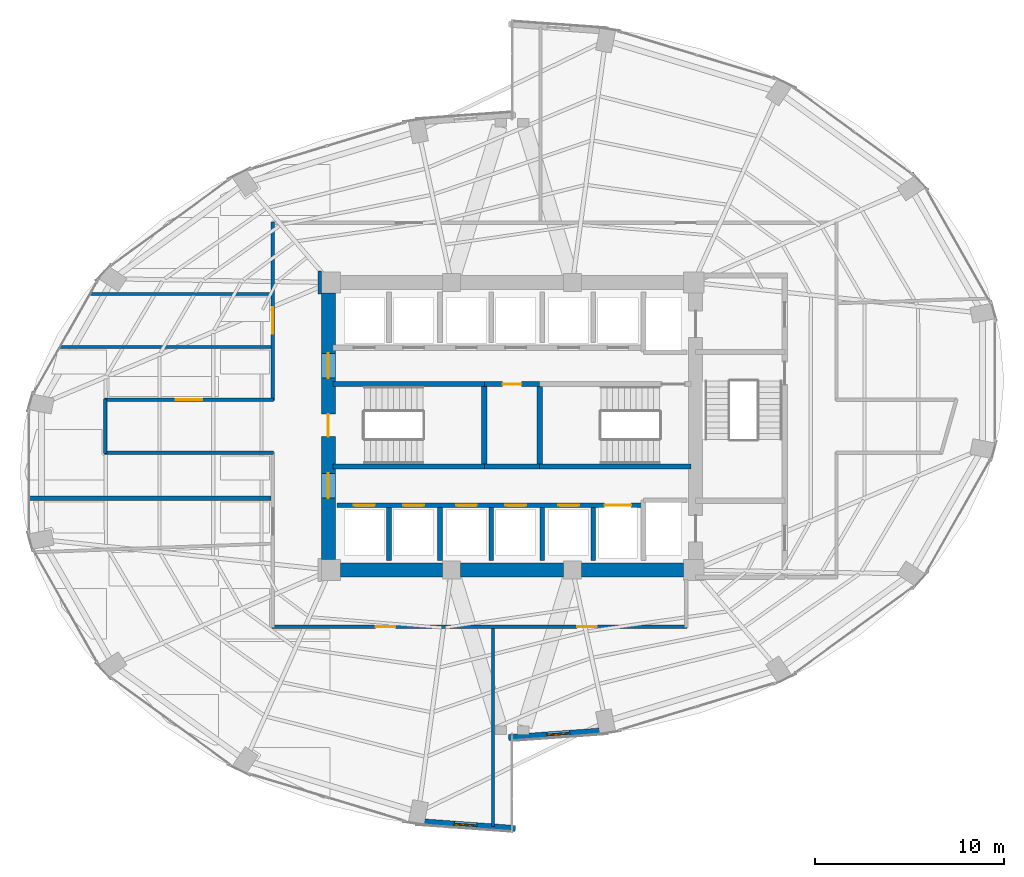
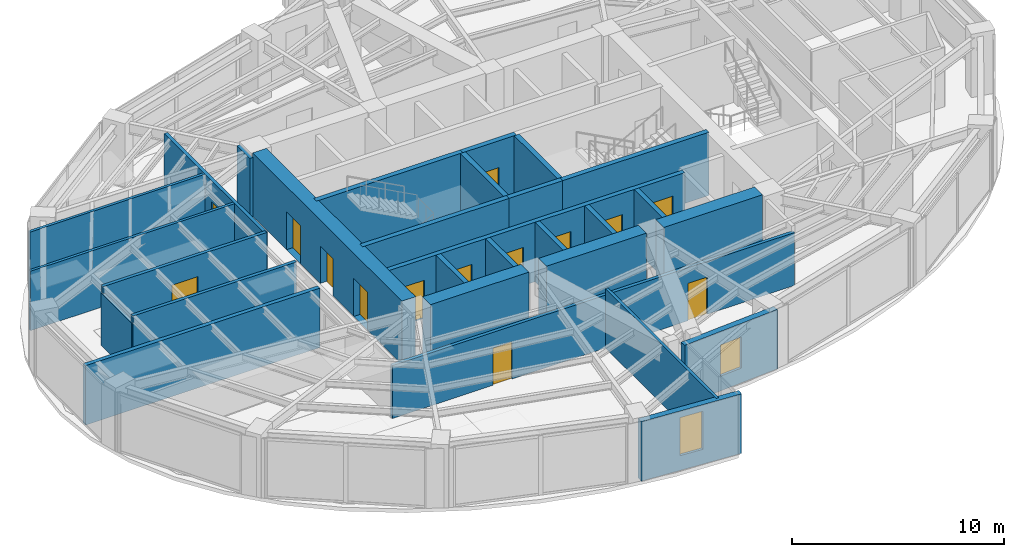
# One storey, part 20 of 24: 29 walls, 14 doors, 2 windows, 16 openings.
"""IFC4 building model written with IfcOpenShell, lengths in metres."""

from ifc_helpers import new_model, si_unit, direction, frame, frame_2d, origin, place, context, subcontext, project, spatial, rectangle, extrude, material, layer, layer_set, type_object, element, fill, save


model = new_model("IFC4")

# Units and contexts
model_context = context("Model", 3, precision=1e-05, world=origin(), true_north=direction((0.0, 1.0)))
body_context = subcontext(model_context, "Body", "Model", "MODEL_VIEW")
ifc_project = project(units=[si_unit("LENGTHUNIT", "METRE"), si_unit("AREAUNIT", "SQUARE_METRE"), si_unit("VOLUMEUNIT", "CUBIC_METRE"), si_unit("PLANEANGLEUNIT", "RADIAN"), si_unit("MASSUNIT", "GRAM", prefix="KILO")], contexts=[model_context])

# Site, building, storey
site_placement = place(None, origin())
site = spatial("IfcSite", under=ifc_project, at=site_placement, CompositionType="ELEMENT")
building_placement = place(site_placement, origin())
building = spatial("IfcBuilding", under=site, at=building_placement, Name="Lazwardi Medical Tower", CompositionType="ELEMENT")
storey_placement = place(building_placement, frame((0.0, 0.0, 96.3359375)))
storey = spatial("IfcBuildingStorey", under=building, at=storey_placement, Name="L24", CompositionType="ELEMENT", Elevation=96.3359375)

# Wall
ifc_material_1 = material(Name="Fire-rated gypsum board on steel stud", Category="steel")
ifc_layer_1 = layer(ifc_material_1, 0.179931640625)
ifc_layer_set_1 = layer_set([ifc_layer_1], Name="Fire-rated gypsum board on steel stud")
wall_type_1 = type_object("IfcWallType", Name="WL-COR-180", PredefinedType="PARTITIONING", material=ifc_layer_set_1)
wall_1_placement = place(storey_placement, frame((14.5, 26.56005859375, 0.0), z_axis=(0.0, 0.0, 1.0), x_axis=(0.0, 1.0, 0.0)))
element("IfcWall", 1, at=wall_1_placement, inside=storey, type_object=wall_type_1, Name="L24 Corridor partition 1", PredefinedType="PARTITIONING", context=body_context, shape_type="SweptSolid", body=[
    extrude(rectangle(XDim=2.8798828125, YDim=0.179931640625, at=frame_2d((1.43994140625, 0.0))), origin(), (0.0, 0.0, 1.0), 3.01318359375),
])

# Wall, opening, door
wall_2_placement = place(storey_placement, frame((14.4599609375, 29.39990234375, 0.0), z_axis=(0.0, 0.0, 1.0), x_axis=(1.0, 0.0, 0.0)))
wall_2 = element("IfcWall", 2, at=wall_2_placement, inside=storey, type_object=wall_type_1, Name="L24 Corridor partition 2", PredefinedType="PARTITIONING", context=body_context, shape_type="SweptSolid", body=[
    extrude(rectangle(XDim=8.929931640625, YDim=0.179931640625, at=frame_2d((4.46484375, 0.0))), origin(), (0.0, 0.0, 1.0), 3.427978515625),
])
opening_1_placement = place(wall_2_placement, frame((3.764892578125, 0.0, 0.0)))
opening_1 = element("IfcOpeningElement", 3, at=opening_1_placement, cuts=wall_2, Name="Opening D-L24-012", PredefinedType="OPENING", context=body_context, shape_type="SweptSolid", body=[
    extrude(rectangle(XDim=1.39990234375, YDim=2.199951171875, at=frame_2d((0.699951171875, 1.10009765625))), frame((0.0, 0.099853515625, 0.0), z_axis=(0.0, -1.0, 0.0), x_axis=(1.0, 0.0, 0.0)), (0.0, 0.0, 1.0), 0.199951171875),
])
ifc_material_2 = material(Name="Anti-microbial laminate hospital leaf")
door_type_1 = type_object("IfcDoorType", Name="DR-BED-1400", OperationType="NOTDEFINED", PredefinedType="DOOR", material=ifc_material_2)
door_1_placement = place(opening_1_placement, origin())
door_1 = element("IfcDoor", 4, at=door_1_placement, inside=storey, type_object=door_type_1, Name="L24 Inpatient Ward Door 07", OperationType="SINGLE_SWING_RIGHT", OverallHeight=2.199951171875, OverallWidth=1.39990234375, PredefinedType="DOOR", context=body_context, shape_type="SweptSolid", body=[
    extrude(rectangle(XDim=1.39990234375, YDim=2.199951171875, at=frame_2d((0.699951171875, 1.10009765625))), frame((0.0, 0.02490234375, 0.0), z_axis=(0.0, -1.0, 0.0), x_axis=(1.0, 0.0, 0.0)), (0.0, 0.0, 1.0), 0.050048828125),
])
fill(opening_1, door_1)

wall_3_placement = place(storey_placement, frame((23.35009765625, 29.360107421875, 0.0), z_axis=(0.0, 0.0, 1.0), x_axis=(0.0, 1.0, 0.0)))
wall_3 = element("IfcWall", 5, at=wall_3_placement, inside=storey, type_object=wall_type_1, Name="L24 Corridor partition 3", PredefinedType="PARTITIONING", context=body_context, shape_type="SweptSolid", body=[
    extrude(rectangle(XDim=9.429931640625, YDim=0.179931640625, at=frame_2d((4.71484375, 0.0))), origin(), (0.0, 0.0, 1.0), 3.427978515625),
])
opening_2_placement = place(wall_3_placement, frame((3.5400390625, 0.0, 0.0)))
opening_2 = element("IfcOpeningElement", 6, at=opening_2_placement, cuts=wall_3, Name="Opening D-L24-011", PredefinedType="OPENING", context=body_context, shape_type="SweptSolid", body=[
    extrude(rectangle(XDim=1.39990234375, YDim=2.199951171875, at=frame_2d((0.699951171875, 1.10009765625))), frame((0.0, 0.099853515625, 0.0), z_axis=(0.0, -1.0, 0.0), x_axis=(1.0, 0.0, 0.0)), (0.0, 0.0, 1.0), 0.199951171875),
])
door_2_placement = place(opening_2_placement, origin())
door_2 = element("IfcDoor", 7, at=door_2_placement, inside=storey, type_object=door_type_1, Name="L24 Inpatient Ward Door 06", OperationType="SINGLE_SWING_LEFT", OverallHeight=2.199951171875, OverallWidth=1.39990234375, PredefinedType="DOOR", context=body_context, shape_type="SweptSolid", body=[
    extrude(rectangle(XDim=1.39990234375, YDim=2.199951171875, at=frame_2d((0.699951171875, 1.10009765625))), frame((0.0, 0.02490234375, 0.0), z_axis=(0.0, -1.0, 0.0), x_axis=(1.0, 0.0, 0.0)), (0.0, 0.0, 1.0), 0.050048828125),
])
fill(opening_2, door_2)

# Wall
wall_4_placement = place(storey_placement, frame((25.830078125, 36.2099609375, 0.0), z_axis=(0.0, 0.0, 1.0), x_axis=(0.0, -1.0, 0.0)))
element("IfcWall", 8, at=wall_4_placement, inside=storey, type_object=wall_type_1, Name="L24 Corridor partition 11", PredefinedType="PARTITIONING", context=body_context, shape_type="SweptSolid", body=[
    extrude(rectangle(XDim=1.219970703125, YDim=0.179931640625, at=frame_2d((0.60986328125, 0.0))), origin(), (0.0, 0.0, 1.0), 3.427978515625),
])

# Wall, openings, doors
wall_5_placement = place(storey_placement, frame((45.239990234375, 17.39990234375, 0.0), z_axis=(0.0, 0.0, 1.0), x_axis=(-1.0, 0.0, 0.0)))
wall_5 = element("IfcWall", 9, at=wall_5_placement, inside=storey, type_object=wall_type_1, Name="L24 Corridor partition 14", PredefinedType="PARTITIONING", context=body_context, shape_type="SweptSolid", body=[
    extrude(rectangle(XDim=21.929931640625, YDim=0.179931640625, at=frame_2d((10.96484375, 0.0))), origin(), (0.0, 0.0, 1.0), 3.052978515625),
])
opening_3_placement = place(wall_5_placement, frame((15.40087890625, 0.0, 0.0)))
opening_3 = element("IfcOpeningElement", 10, at=opening_3_placement, cuts=wall_5, Name="Opening D-L24-007", PredefinedType="OPENING", context=body_context, shape_type="SweptSolid", body=[
    extrude(rectangle(XDim=1.050048828125, YDim=2.14990234375, at=frame_2d((0.52490234375, 1.074951171875))), frame((0.0, 0.099853515625, 0.0), z_axis=(0.0, -1.0, 0.0), x_axis=(1.0, 0.0, 0.0)), (0.0, 0.0, 1.0), 0.199951171875),
])
opening_4_placement = place(wall_5_placement, frame((4.75390625, 0.0, 0.0)))
opening_4 = element("IfcOpeningElement", 11, at=opening_4_placement, cuts=wall_5, Name="Opening D-L24-008", PredefinedType="OPENING", context=body_context, shape_type="SweptSolid", body=[
    extrude(rectangle(XDim=1.050048828125, YDim=2.14990234375, at=frame_2d((0.52490234375, 1.074951171875))), frame((0.0, 0.099853515625, 0.0), z_axis=(0.0, -1.0, 0.0), x_axis=(1.0, 0.0, 0.0)), (0.0, 0.0, 1.0), 0.199951171875),
])
door_type_2 = type_object("IfcDoorType", Name="DR-CLN-1050", OperationType="NOTDEFINED", PredefinedType="DOOR", material=ifc_material_2)
door_3_placement = place(opening_3_placement, origin())
door_3 = element("IfcDoor", 12, at=door_3_placement, inside=storey, type_object=door_type_2, Name="L24 Outpatient Clinic Door 02", OperationType="SINGLE_SWING_LEFT", OverallHeight=2.14990234375, OverallWidth=1.050048828125, PredefinedType="DOOR", context=body_context, shape_type="SweptSolid", body=[
    extrude(rectangle(XDim=1.050048828125, YDim=2.14990234375, at=frame_2d((0.52490234375, 1.074951171875))), frame((0.0, 0.02490234375, 0.0), z_axis=(0.0, -1.0, 0.0), x_axis=(1.0, 0.0, 0.0)), (0.0, 0.0, 1.0), 0.050048828125),
])
fill(opening_3, door_3)
door_4_placement = place(opening_4_placement, origin())
door_4 = element("IfcDoor", 13, at=door_4_placement, inside=storey, type_object=door_type_2, Name="L24 Clinical Specialist Office Door 03", OperationType="SINGLE_SWING_RIGHT", OverallHeight=2.14990234375, OverallWidth=1.050048828125, PredefinedType="DOOR", context=body_context, shape_type="SweptSolid", body=[
    extrude(rectangle(XDim=1.050048828125, YDim=2.14990234375, at=frame_2d((0.52490234375, 1.074951171875))), frame((0.0, 0.02490234375, 0.0), z_axis=(0.0, -1.0, 0.0), x_axis=(1.0, 0.0, 0.0)), (0.0, 0.0, 1.0), 0.050048828125),
])
fill(opening_4, door_4)

# Wall
wall_6_placement = place(storey_placement, frame((23.389892578125, 26.60009765625, 0.0), z_axis=(0.0, 0.0, 1.0), x_axis=(-1.0, 0.0, 0.0)))
element("IfcWall", 14, at=wall_6_placement, inside=storey, type_object=wall_type_1, Name="L24 Corridor partition 16", PredefinedType="PARTITIONING", context=body_context, shape_type="SweptSolid", body=[
    extrude(rectangle(XDim=8.929931640625, YDim=0.179931640625, at=frame_2d((4.46484375, 0.0))), origin(), (0.0, 0.0, 1.0), 3.427978515625),
])

# Wall, openings, doors
ifc_material_3 = material(Name="Concrete C70/85", Category="concrete")
ifc_layer_2 = layer(ifc_material_3, 0.75)
ifc_layer_set_2 = layer_set([ifc_layer_2], Name="Concrete C70/85")
wall_type_2 = type_object("IfcWallType", Name="WL-CORE-750", PredefinedType="SHEAR", material=ifc_layer_set_2)
wall_7_placement = place(storey_placement, frame((26.300048828125, 20.949951171875, 0.0), z_axis=(0.0, 0.0, 1.0), x_axis=(0.0, 1.0, 0.0)))
wall_7 = element("IfcWall", 15, at=wall_7_placement, inside=storey, type_object=wall_type_2, Name="Core wall CW-S2 west L24", PredefinedType="SHEAR", context=body_context, shape_type="SweptSolid", body=[
    extrude(rectangle(XDim=14.10009765625, YDim=0.75, at=frame_2d((7.050048828125, 0.0))), origin(), (0.0, 0.0, 1.0), 3.64794921875),
])
opening_5_placement = place(wall_7_placement, frame((6.5, 0.0, 0.0)))
opening_5 = element("IfcOpeningElement", 16, at=opening_5_placement, cuts=wall_7, Name="Opening D-L24-013", PredefinedType="OPENING", context=body_context, shape_type="SweptSolid", body=[
    extrude(rectangle(XDim=1.199951171875, YDim=2.14990234375, at=frame_2d((0.60009765625, 1.074951171875))), frame((0.0, 0.385009765625, 0.0), z_axis=(0.0, -1.0, 0.0), x_axis=(1.0, 0.0, 0.0)), (0.0, 0.0, 1.0), 0.77001953125),
])
opening_6_placement = place(wall_7_placement, frame((9.60009765625, 0.0, 0.0)))
opening_6 = element("IfcOpeningElement", 17, at=opening_6_placement, cuts=wall_7, Name="Opening D-L24-004", PredefinedType="OPENING", context=body_context, shape_type="SweptSolid", body=[
    extrude(rectangle(XDim=1.300048828125, YDim=2.199951171875, at=frame_2d((0.64990234375, 1.10009765625))), frame((0.0, 0.385009765625, 0.0), z_axis=(0.0, -1.0, 0.0), x_axis=(1.0, 0.0, 0.0)), (0.0, 0.0, 1.0), 0.77001953125),
])
opening_7_placement = place(wall_7_placement, frame((3.260009765625, 0.0, 0.0)))
opening_7 = element("IfcOpeningElement", 18, at=opening_7_placement, cuts=wall_7, Name="Opening D-L24-005", PredefinedType="OPENING", context=body_context, shape_type="SweptSolid", body=[
    extrude(rectangle(XDim=1.300048828125, YDim=2.199951171875, at=frame_2d((0.64990234375, 1.10009765625))), frame((0.0, 0.385009765625, 0.0), z_axis=(0.0, -1.0, 0.0), x_axis=(1.0, 0.0, 0.0)), (0.0, 0.0, 1.0), 0.77001953125),
])
ifc_material_4 = material(Name="Fire-rated steel leaf and frame", Category="steel")
door_type_3 = type_object("IfcDoorType", Name="DR-FFL-1300", OperationType="NOTDEFINED", PredefinedType="DOOR", material=ifc_material_4)
door_5_placement = place(opening_6_placement, origin())
door_5 = element("IfcDoor", 19, at=door_5_placement, inside=storey, type_object=door_type_3, Name="L24 North Lift Lobby Door", OperationType="SINGLE_SWING_LEFT", OverallHeight=2.199951171875, OverallWidth=1.300048828125, PredefinedType="DOOR", context=body_context, shape_type="SweptSolid", body=[
    extrude(rectangle(XDim=1.300048828125, YDim=2.199951171875, at=frame_2d((0.64990234375, 1.10009765625))), frame((0.0, 0.02490234375, 0.0), z_axis=(0.0, -1.0, 0.0), x_axis=(1.0, 0.0, 0.0)), (0.0, 0.0, 1.0), 0.050048828125),
])
fill(opening_6, door_5)
door_6_placement = place(opening_7_placement, origin())
door_6 = element("IfcDoor", 20, at=door_6_placement, inside=storey, type_object=door_type_3, Name="L24 South Lift Lobby Door", OperationType="SINGLE_SWING_RIGHT", OverallHeight=2.199951171875, OverallWidth=1.300048828125, PredefinedType="DOOR", context=body_context, shape_type="SweptSolid", body=[
    extrude(rectangle(XDim=1.300048828125, YDim=2.199951171875, at=frame_2d((0.64990234375, 1.10009765625))), frame((0.0, 0.02490234375, 0.0), z_axis=(0.0, -1.0, 0.0), x_axis=(1.0, 0.0, 0.0)), (0.0, 0.0, 1.0), 0.050048828125),
])
fill(opening_7, door_6)
door_type_4 = type_object("IfcDoorType", Name="DR-STR-1200", OperationType="NOTDEFINED", PredefinedType="DOOR", material=ifc_material_4)
door_7_placement = place(opening_5_placement, origin())
door_7 = element("IfcDoor", 21, at=door_7_placement, inside=storey, type_object=door_type_4, Name="L24 Exit Stair ST1 Door", OperationType="SINGLE_SWING_RIGHT", OverallHeight=2.14990234375, OverallWidth=1.199951171875, PredefinedType="DOOR", context=body_context, shape_type="SweptSolid", body=[
    extrude(rectangle(XDim=1.199951171875, YDim=2.14990234375, at=frame_2d((0.60009765625, 1.074951171875))), frame((0.0, 0.02490234375, 0.0), z_axis=(0.0, -1.0, 0.0), x_axis=(1.0, 0.0, 0.0)), (0.0, 0.0, 1.0), 0.050048828125),
])
fill(opening_5, door_7)

# Walls
wall_8_placement = place(storey_placement, frame((26.949951171875, 20.39990234375, 0.0), z_axis=(0.0, 0.0, 1.0), x_axis=(1.0, 0.0, 0.0)))
element("IfcWall", 22, at=wall_8_placement, inside=storey, type_object=wall_type_2, Name="Core wall CW-S2 S1 L24", PredefinedType="SHEAR", context=body_context, shape_type="SweptSolid", body=[
    extrude(rectangle(XDim=5.375, YDim=0.75, at=frame_2d((2.6875, 0.0))), origin(), (0.0, 0.0, 1.0), 3.64794921875),
])
wall_9_placement = place(storey_placement, frame((33.27490234375, 20.39990234375, 0.0), z_axis=(0.0, 0.0, 1.0), x_axis=(1.0, 0.0, 0.0)))
element("IfcWall", 23, at=wall_9_placement, inside=storey, type_object=wall_type_2, Name="Core wall CW-S2 S2 L24", PredefinedType="SHEAR", context=body_context, shape_type="SweptSolid", body=[
    extrude(rectangle(XDim=5.4501953125, YDim=0.75, at=frame_2d((2.72509765625, 0.0))), origin(), (0.0, 0.0, 1.0), 3.64794921875),
])
wall_10_placement = place(storey_placement, frame((39.675048828125, 20.39990234375, 0.0), z_axis=(0.0, 0.0, 1.0), x_axis=(1.0, 0.0, 0.0)))
element("IfcWall", 24, at=wall_10_placement, inside=storey, type_object=wall_type_2, Name="Core wall CW-S2 S3 L24", PredefinedType="SHEAR", context=body_context, shape_type="SweptSolid", body=[
    extrude(rectangle(XDim=5.375, YDim=0.75, at=frame_2d((2.6875, 0.0))), origin(), (0.0, 0.0, 1.0), 3.64794921875),
])

# Wall, opening, window
ifc_material_5 = material(Name="Precast concrete C45/55", Category="concrete")
ifc_layer_3 = layer(ifc_material_5, 0.320068359375)
ifc_layer_set_3 = layer_set([ifc_layer_3], Name="Precast concrete C45/55")
wall_type_3 = type_object("IfcWallType", Name="WL-IWAN-320", PredefinedType="SOLIDWALL", material=ifc_layer_set_3)
wall_11_placement = place(storey_placement, frame((35.820556640625, 11.547119140625, 0.0), z_axis=(0.0, 0.0, 1.0), x_axis=(0.997432364291, 0.071614793619, 0.0)))
wall_11 = element("IfcWall", 25, at=wall_11_placement, inside=storey, type_object=wall_type_3, Name="L24 Iwan Portal Return Wall SE_ret", PredefinedType="SOLIDWALL", context=body_context, shape_type="SweptSolid", body=[
    extrude(rectangle(XDim=5.2841796875, YDim=0.320068359375, at=frame_2d((2.64208984375, 0.0))), origin(), (0.0, 0.0, 1.0), 3.427978515625),
])
opening_8_placement = place(wall_11_placement, frame((2.0419921875, 0.0, 0.85009765625)))
opening_8 = element("IfcOpeningElement", 26, at=opening_8_placement, cuts=wall_11, Name="Opening WN-04", PredefinedType="OPENING", context=body_context, shape_type="SweptSolid", body=[
    extrude(rectangle(XDim=1.199951171875, YDim=1.800048828125, at=frame_2d((0.60009765625, 0.89990234375))), frame((0.0, 0.169921875, 0.0), z_axis=(0.0, -1.0, 0.0), x_axis=(1.0, 0.0, 0.0)), (0.0, 0.0, 1.0), 0.340087890625),
])
ifc_material_6 = material(Name="Low-e bronze solar control double glazing", Category="glass")
window_type_1 = type_object("IfcWindowType", Name="WIN-DRUM-1200", PartitioningType="SINGLE_PANEL", PredefinedType="WINDOW", material=ifc_material_6)
window_1_placement = place(opening_8_placement, origin())
window_1 = element("IfcWindow", 27, at=window_1_placement, inside=storey, type_object=window_type_1, Name="L24 Iwan Slot Window SE_ret", OverallHeight=1.800048828125, OverallWidth=1.199951171875, PartitioningType="SINGLE_PANEL", PredefinedType="WINDOW", context=body_context, shape_type="SweptSolid", body=[
    extrude(rectangle(XDim=1.199951171875, YDim=1.800048828125, at=frame_2d((0.60009765625, 0.89990234375))), frame((0.0, 0.030029296875, 0.0), z_axis=(0.0, -1.0, 0.0), x_axis=(1.0, 0.0, 0.0)), (0.0, 0.0, 1.0), 0.06005859375),
])
fill(opening_8, window_1)

wall_12_placement = place(storey_placement, frame((30.908935546875, 7.12548828125, 0.0), z_axis=(0.0, 0.0, 1.0), x_axis=(0.997431890304, -0.071621394884, 0.0)))
wall_12 = element("IfcWall", 28, at=wall_12_placement, inside=storey, type_object=wall_type_3, Name="L24 Iwan Portal Return Wall SW_ret", PredefinedType="SOLIDWALL", context=body_context, shape_type="SweptSolid", body=[
    extrude(rectangle(XDim=5.28369140625, YDim=0.320068359375, at=frame_2d((2.641845703125, 0.0))), origin(), (0.0, 0.0, 1.0), 3.427978515625),
])
opening_9_placement = place(wall_12_placement, frame((2.041748046875, 0.0, 0.85009765625)))
opening_9 = element("IfcOpeningElement", 29, at=opening_9_placement, cuts=wall_12, Name="Opening WN-01", PredefinedType="OPENING", context=body_context, shape_type="SweptSolid", body=[
    extrude(rectangle(XDim=1.199951171875, YDim=2.199951171875, at=frame_2d((0.60009765625, 1.10009765625))), frame((0.0, 0.169921875, 0.0), z_axis=(0.0, -1.0, 0.0), x_axis=(1.0, 0.0, 0.0)), (0.0, 0.0, 1.0), 0.340087890625),
])
window_type_2 = type_object("IfcWindowType", Name="WIN-IW-1200", PartitioningType="SINGLE_PANEL", PredefinedType="WINDOW", material=ifc_material_6)
window_2_placement = place(opening_9_placement, origin())
window_2 = element("IfcWindow", 30, at=window_2_placement, inside=storey, type_object=window_type_2, Name="L24 Iwan Slot Window SW_ret", OverallHeight=2.199951171875, OverallWidth=1.199951171875, PartitioningType="SINGLE_PANEL", PredefinedType="WINDOW", context=body_context, shape_type="SweptSolid", body=[
    extrude(rectangle(XDim=1.199951171875, YDim=2.199951171875, at=frame_2d((0.60009765625, 1.10009765625))), frame((0.0, 0.030029296875, 0.0), z_axis=(0.0, -1.0, 0.0), x_axis=(1.0, 0.0, 0.0)), (0.0, 0.0, 1.0), 0.06005859375),
])
fill(opening_9, window_2)

# Wall, openings, doors
ifc_material_7 = material(Name="Autoclaved aerated concrete blockwork", Category="masonry")
ifc_layer_4 = layer(ifc_material_7, 0.25)
ifc_layer_set_4 = layer_set([ifc_layer_4], Name="Autoclaved aerated concrete blockwork")
wall_type_4 = type_object("IfcWallType", Name="WL-SHAFT-250", PredefinedType="SOLIDWALL", material=ifc_layer_set_4)
wall_13_placement = place(storey_placement, frame((26.75, 23.830078125, 0.0), z_axis=(0.0, 0.0, 1.0), x_axis=(1.0, 0.0, 0.0)))
wall_13 = element("IfcWall", 31, at=wall_13_placement, inside=storey, type_object=wall_type_4, Name="L24 South lift bank front wall", PredefinedType="SOLIDWALL", context=body_context, shape_type="SweptSolid", body=[
    extrude(rectangle(XDim=16.199951171875, YDim=0.25, at=frame_2d((8.10009765625, 0.0))), origin(), (0.0, 0.0, 1.0), 3.427978515625),
])
opening_10_placement = place(wall_13_placement, frame((0.89990234375, 0.0, 0.0)))
opening_10 = element("IfcOpeningElement", 32, at=opening_10_placement, cuts=wall_13, Name="Opening LD-L24-006", PredefinedType="OPENING", context=body_context, shape_type="SweptSolid", body=[
    extrude(rectangle(XDim=1.10009765625, YDim=2.199951171875, at=frame_2d((0.550048828125, 1.10009765625))), frame((0.0, 0.135009765625, 0.0), z_axis=(0.0, -1.0, 0.0), x_axis=(1.0, 0.0, 0.0)), (0.0, 0.0, 1.0), 0.27001953125),
])
opening_11_placement = place(wall_13_placement, frame((3.5, 0.0, 0.0)))
opening_11 = element("IfcOpeningElement", 33, at=opening_11_placement, cuts=wall_13, Name="Opening LD-L24-007", PredefinedType="OPENING", context=body_context, shape_type="SweptSolid", body=[
    extrude(rectangle(XDim=1.10009765625, YDim=2.199951171875, at=frame_2d((0.550048828125, 1.10009765625))), frame((0.0, 0.135009765625, 0.0), z_axis=(0.0, -1.0, 0.0), x_axis=(1.0, 0.0, 0.0)), (0.0, 0.0, 1.0), 0.27001953125),
])
opening_12_placement = place(wall_13_placement, frame((6.300048828125, 0.0, 0.0)))
opening_12 = element("IfcOpeningElement", 34, at=opening_12_placement, cuts=wall_13, Name="Opening LD-L24-010", PredefinedType="OPENING", context=body_context, shape_type="SweptSolid", body=[
    extrude(rectangle(XDim=1.10009765625, YDim=2.199951171875, at=frame_2d((0.550048828125, 1.10009765625))), frame((0.0, 0.135009765625, 0.0), z_axis=(0.0, -1.0, 0.0), x_axis=(1.0, 0.0, 0.0)), (0.0, 0.0, 1.0), 0.27001953125),
])
opening_13_placement = place(wall_13_placement, frame((8.89990234375, 0.0, 0.0)))
opening_13 = element("IfcOpeningElement", 35, at=opening_13_placement, cuts=wall_13, Name="Opening LD-L24-011", PredefinedType="OPENING", context=body_context, shape_type="SweptSolid", body=[
    extrude(rectangle(XDim=1.10009765625, YDim=2.199951171875, at=frame_2d((0.550048828125, 1.10009765625))), frame((0.0, 0.135009765625, 0.0), z_axis=(0.0, -1.0, 0.0), x_axis=(1.0, 0.0, 0.0)), (0.0, 0.0, 1.0), 0.27001953125),
])
opening_14_placement = place(wall_13_placement, frame((11.699951171875, 0.0, 0.0)))
opening_14 = element("IfcOpeningElement", 36, at=opening_14_placement, cuts=wall_13, Name="Opening LD-L24-014", PredefinedType="OPENING", context=body_context, shape_type="SweptSolid", body=[
    extrude(rectangle(XDim=1.10009765625, YDim=2.199951171875, at=frame_2d((0.550048828125, 1.10009765625))), frame((0.0, 0.135009765625, 0.0), z_axis=(0.0, -1.0, 0.0), x_axis=(1.0, 0.0, 0.0)), (0.0, 0.0, 1.0), 0.27001953125),
])
opening_15_placement = place(wall_13_placement, frame((14.14990234375, 0.0, 0.0)))
opening_15 = element("IfcOpeningElement", 37, at=opening_15_placement, cuts=wall_13, Name="Opening LD-L24-003", PredefinedType="OPENING", context=body_context, shape_type="SweptSolid", body=[
    extrude(rectangle(XDim=1.39990234375, YDim=2.300048828125, at=frame_2d((0.699951171875, 1.14990234375))), frame((0.0, 0.135009765625, 0.0), z_axis=(0.0, -1.0, 0.0), x_axis=(1.0, 0.0, 0.0)), (0.0, 0.0, 1.0), 0.27001953125),
])
ifc_material_8 = material(Name="Brushed bronze stainless steel landing door", Category="steel")
door_type_5 = type_object("IfcDoorType", Name="DR-LFT-1100", OperationType="NOTDEFINED", PredefinedType="DOOR", material=ifc_material_8)
door_8_placement = place(opening_10_placement, origin())
door_8 = element("IfcDoor", 38, at=door_8_placement, inside=storey, type_object=door_type_5, Name="L24 Lift Landing Door PL-03", OperationType="SLIDING_TO_LEFT", OverallHeight=2.199951171875, OverallWidth=1.10009765625, PredefinedType="DOOR", context=body_context, shape_type="SweptSolid", body=[
    extrude(rectangle(XDim=1.10009765625, YDim=2.199951171875, at=frame_2d((0.550048828125, 1.10009765625))), frame((0.0, 0.02490234375, 0.0), z_axis=(0.0, -1.0, 0.0), x_axis=(1.0, 0.0, 0.0)), (0.0, 0.0, 1.0), 0.050048828125),
])
fill(opening_10, door_8)
door_9_placement = place(opening_11_placement, origin())
door_9 = element("IfcDoor", 39, at=door_9_placement, inside=storey, type_object=door_type_5, Name="L24 Lift Landing Door PL-04", OperationType="SLIDING_TO_LEFT", OverallHeight=2.199951171875, OverallWidth=1.10009765625, PredefinedType="DOOR", context=body_context, shape_type="SweptSolid", body=[
    extrude(rectangle(XDim=1.10009765625, YDim=2.199951171875, at=frame_2d((0.550048828125, 1.10009765625))), frame((0.0, 0.02490234375, 0.0), z_axis=(0.0, -1.0, 0.0), x_axis=(1.0, 0.0, 0.0)), (0.0, 0.0, 1.0), 0.050048828125),
])
fill(opening_11, door_9)
door_10_placement = place(opening_12_placement, origin())
door_10 = element("IfcDoor", 40, at=door_10_placement, inside=storey, type_object=door_type_5, Name="L24 Lift Landing Door PL-07", OperationType="SLIDING_TO_LEFT", OverallHeight=2.199951171875, OverallWidth=1.10009765625, PredefinedType="DOOR", context=body_context, shape_type="SweptSolid", body=[
    extrude(rectangle(XDim=1.10009765625, YDim=2.199951171875, at=frame_2d((0.550048828125, 1.10009765625))), frame((0.0, 0.02490234375, 0.0), z_axis=(0.0, -1.0, 0.0), x_axis=(1.0, 0.0, 0.0)), (0.0, 0.0, 1.0), 0.050048828125),
])
fill(opening_12, door_10)
door_11_placement = place(opening_13_placement, origin())
door_11 = element("IfcDoor", 41, at=door_11_placement, inside=storey, type_object=door_type_5, Name="L24 Lift Landing Door PL-08", OperationType="SLIDING_TO_LEFT", OverallHeight=2.199951171875, OverallWidth=1.10009765625, PredefinedType="DOOR", context=body_context, shape_type="SweptSolid", body=[
    extrude(rectangle(XDim=1.10009765625, YDim=2.199951171875, at=frame_2d((0.550048828125, 1.10009765625))), frame((0.0, 0.02490234375, 0.0), z_axis=(0.0, -1.0, 0.0), x_axis=(1.0, 0.0, 0.0)), (0.0, 0.0, 1.0), 0.050048828125),
])
fill(opening_13, door_11)
door_12_placement = place(opening_14_placement, origin())
door_12 = element("IfcDoor", 42, at=door_12_placement, inside=storey, type_object=door_type_5, Name="L24 Lift Landing Door PL-11", OperationType="SLIDING_TO_LEFT", OverallHeight=2.199951171875, OverallWidth=1.10009765625, PredefinedType="DOOR", context=body_context, shape_type="SweptSolid", body=[
    extrude(rectangle(XDim=1.10009765625, YDim=2.199951171875, at=frame_2d((0.550048828125, 1.10009765625))), frame((0.0, 0.02490234375, 0.0), z_axis=(0.0, -1.0, 0.0), x_axis=(1.0, 0.0, 0.0)), (0.0, 0.0, 1.0), 0.050048828125),
])
fill(opening_14, door_12)
ifc_material_9 = material(Name="Brushed stainless steel bed-lift landing door", Category="steel")
door_type_6 = type_object("IfcDoorType", Name="DR-LFT-1400", OperationType="NOTDEFINED", PredefinedType="DOOR", material=ifc_material_9)
door_13_placement = place(opening_15_placement, origin())
door_13 = element("IfcDoor", 43, at=door_13_placement, inside=storey, type_object=door_type_6, Name="L24 Lift Landing Door FL-03", OperationType="SLIDING_TO_LEFT", OverallHeight=2.300048828125, OverallWidth=1.39990234375, PredefinedType="DOOR", context=body_context, shape_type="SweptSolid", body=[
    extrude(rectangle(XDim=1.39990234375, YDim=2.300048828125, at=frame_2d((0.699951171875, 1.14990234375))), frame((0.0, 0.02490234375, 0.0), z_axis=(0.0, -1.0, 0.0), x_axis=(1.0, 0.0, 0.0)), (0.0, 0.0, 1.0), 0.050048828125),
])
fill(opening_15, door_13)

# Walls
for number, where, z_axis, x_axis, name in (
    (44, (29.5, 20.89990234375, 0.0), (0.0, 0.0, 1.0), (0.0, 1.0, 0.0), "L24 South hoistway divider"),
    (45, (32.199951171875, 20.89990234375, 0.0), (0.0, 0.0, 1.0), (0.0, 1.0, 0.0), "L24 South hoistway divider"),
    (46, (34.89990234375, 20.89990234375, 0.0), (0.0, 0.0, 1.0), (0.0, 1.0, 0.0), "L24 South hoistway divider"),
    (47, (37.60009765625, 20.89990234375, 0.0), (0.0, 0.0, 1.0), (0.0, 1.0, 0.0), "L24 South hoistway divider"),
    (48, (40.300048828125, 20.89990234375, 0.0), (0.0, 0.0, 1.0), (0.0, 1.0, 0.0), "L24 South hoistway divider"),
):
    element("IfcWall", number, at=place(storey_placement, frame(where, z_axis=z_axis, x_axis=x_axis)), inside=storey, type_object=wall_type_4, Name=name, PredefinedType="SOLIDWALL", context=body_context, shape_type="SweptSolid", body=[
        extrude(rectangle(XDim=2.800048828125, YDim=0.25, at=frame_2d((1.39990234375, 0.0))), origin(), (0.0, 0.0, 1.0), 3.427978515625),
    ])
ifc_layer_5 = layer(ifc_material_1, 0.219970703125)
ifc_layer_set_5 = layer_set([ifc_layer_5], Name="Fire-rated gypsum board on steel stud")
wall_type_5 = type_object("IfcWallType", Name="WL-SMK-220", PredefinedType="PARTITIONING", material=ifc_layer_set_5)
wall_14_placement = place(storey_placement, frame((10.480224609375, 24.199951171875, 0.0), z_axis=(0.0, 0.0, 1.0), x_axis=(1.0, 0.0, 0.0)))
element("IfcWall", 49, at=wall_14_placement, inside=storey, type_object=wall_type_5, Name="L24 Room partition 2", PredefinedType="PARTITIONING", context=body_context, shape_type="SweptSolid", body=[
    extrude(rectangle(XDim=12.77978515625, YDim=0.219970703125, at=frame_2d((6.389892578125, 0.0))), origin(), (0.0, 0.0, 1.0), 3.427978515625),
])
ifc_material_10 = material(Name="Concrete C50/60", Category="concrete")
ifc_layer_6 = layer(ifc_material_10, 0.27001953125)
ifc_layer_set_6 = layer_set([ifc_layer_6], Name="Concrete C50/60")
wall_type_6 = type_object("IfcWallType", Name="WL-STR-250", PredefinedType="SHEAR", material=ifc_layer_set_6)
wall_15_placement = place(storey_placement, frame((26.550048828125, 30.235107421875, 0.0), z_axis=(0.0, 0.0, 1.0), x_axis=(1.0, 0.0, 0.0)))
element("IfcWall", 50, at=wall_15_placement, inside=storey, type_object=wall_type_6, Name="L24 ST1 North shear shaft wall SW-S1", PredefinedType="SHEAR", context=body_context, shape_type="SweptSolid", body=[
    extrude(rectangle(XDim=7.98486328125, YDim=0.27001953125, at=frame_2d((3.992431640625, 0.0))), origin(), (0.0, 0.0, 1.0), 3.64794921875),
])

# Wall, opening, door
wall_16_placement = place(storey_placement, frame((34.534912109375, 30.235107421875, 0.0), z_axis=(0.0, 0.0, 1.0), x_axis=(1.0, 0.0, 0.0)))
wall_16 = element("IfcWall", 51, at=wall_16_placement, inside=storey, type_object=wall_type_6, Name="L24 Core service North shear wall SW-S1", PredefinedType="SHEAR", context=body_context, shape_type="SweptSolid", body=[
    extrude(rectangle(XDim=2.93017578125, YDim=0.27001953125, at=frame_2d((1.465087890625, 0.0))), origin(), (0.0, 0.0, 1.0), 3.64794921875),
])
opening_16_placement = place(wall_16_placement, frame((0.965087890625, 0.0, 0.0)))
opening_16 = element("IfcOpeningElement", 52, at=opening_16_placement, cuts=wall_16, Name="Opening D-L24-001", PredefinedType="OPENING", context=body_context, shape_type="SweptSolid", body=[
    extrude(rectangle(XDim=1.0, YDim=2.10009765625, at=frame_2d((0.5, 1.050048828125))), frame((0.0, 0.14501953125, 0.0), z_axis=(0.0, -1.0, 0.0), x_axis=(1.0, 0.0, 0.0)), (0.0, 0.0, 1.0), 0.2900390625),
])
ifc_material_11 = material(Name="Moisture-resistant laminate door leaf")
door_type_7 = type_object("IfcDoorType", Name="DR-AWC-1000", OperationType="NOTDEFINED", PredefinedType="DOOR", material=ifc_material_11)
door_14_placement = place(opening_16_placement, origin())
door_14 = element("IfcDoor", 53, at=door_14_placement, inside=storey, type_object=door_type_7, Name="L24 Accessible WC Door", OperationType="SINGLE_SWING_RIGHT", OverallHeight=2.10009765625, OverallWidth=1.0, PredefinedType="DOOR", context=body_context, shape_type="SweptSolid", body=[
    extrude(rectangle(XDim=1.0, YDim=2.10009765625, at=frame_2d((0.5, 1.050048828125))), frame((0.0, 0.02490234375, 0.0), z_axis=(0.0, -1.0, 0.0), x_axis=(1.0, 0.0, 0.0)), (0.0, 0.0, 1.0), 0.050048828125),
])
fill(opening_16, door_14)

# Walls
wall_17_placement = place(storey_placement, frame((26.550048828125, 25.885009765625, 0.0), z_axis=(0.0, 0.0, 1.0), x_axis=(1.0, 0.0, 0.0)))
element("IfcWall", 54, at=wall_17_placement, inside=storey, type_object=wall_type_6, Name="L24 ST1 South shear shaft wall SW-S1", PredefinedType="SHEAR", context=body_context, shape_type="SweptSolid", body=[
    extrude(rectangle(XDim=7.98486328125, YDim=0.27001953125, at=frame_2d((3.992431640625, 0.0))), origin(), (0.0, 0.0, 1.0), 3.64794921875),
])
wall_18_placement = place(storey_placement, frame((34.534912109375, 25.885009765625, 0.0), z_axis=(0.0, 0.0, 1.0), x_axis=(1.0, 0.0, 0.0)))
element("IfcWall", 55, at=wall_18_placement, inside=storey, type_object=wall_type_6, Name="L24 Core service South shear wall SW-S1", PredefinedType="SHEAR", context=body_context, shape_type="SweptSolid", body=[
    extrude(rectangle(XDim=2.93017578125, YDim=0.27001953125, at=frame_2d((1.465087890625, 0.0))), origin(), (0.0, 0.0, 1.0), 3.64794921875),
])
wall_19_placement = place(storey_placement, frame((37.465087890625, 25.885009765625, 0.0), z_axis=(0.0, 0.0, 1.0), x_axis=(1.0, 0.0, 0.0)))
element("IfcWall", 56, at=wall_19_placement, inside=storey, type_object=wall_type_6, Name="L24 ST2 South shear shaft wall SW-S1", PredefinedType="SHEAR", context=body_context, shape_type="SweptSolid", body=[
    extrude(rectangle(XDim=7.98486328125, YDim=0.27001953125, at=frame_2d((3.992431640625, 0.0))), origin(), (0.0, 0.0, 1.0), 3.64794921875),
])
for number, where, z_axis, x_axis, name in (
    (57, (34.534912109375, 26.02001953125, 0.0), (0.0, 0.0, 1.0), (0.0, 1.0, 0.0), "L24 ST1 East shear shaft wall SW-S1"),
    (58, (37.465087890625, 26.02001953125, 0.0), (0.0, 0.0, 1.0), (0.0, 1.0, 0.0), "L24 ST2 West shear shaft wall SW-S1"),
):
    element("IfcWall", number, at=place(storey_placement, frame(where, z_axis=z_axis, x_axis=x_axis)), inside=storey, type_object=wall_type_6, Name=name, PredefinedType="SHEAR", context=body_context, shape_type="SweptSolid", body=[
        extrude(rectangle(XDim=4.080078125, YDim=0.27001953125, at=frame_2d((2.0400390625, 0.0))), origin(), (0.0, 0.0, 1.0), 3.64794921875),
    ])
ifc_material_12 = material(Name="Acoustic gypsum board partition")
ifc_layer_7 = layer(ifc_material_12, 0.14990234375)
ifc_layer_set_7 = layer_set([ifc_layer_7], Name="Acoustic gypsum board partition")
wall_type_7 = type_object("IfcWallType", Name="WL-WRD-150", PredefinedType="PARTITIONING", material=ifc_layer_set_7)
wall_20_placement = place(storey_placement, frame((12.12060546875, 32.199951171875, 0.0), z_axis=(0.0, 0.0, 1.0), x_axis=(1.0, 0.0, 0.0)))
element("IfcWall", 59, at=wall_20_placement, inside=storey, type_object=wall_type_7, Name="L24 Room partition 3", PredefinedType="PARTITIONING", context=body_context, shape_type="SweptSolid", body=[
    extrude(rectangle(XDim=11.139404296875, YDim=0.14990234375, at=frame_2d((5.56982421875, 0.0))), origin(), (0.0, 0.0, 1.0), 3.427978515625),
])
wall_21_placement = place(storey_placement, frame((13.709716796875, 35.0, 0.0), z_axis=(0.0, 0.0, 1.0), x_axis=(1.0, 0.0, 0.0)))
element("IfcWall", 60, at=wall_21_placement, inside=storey, type_object=wall_type_7, Name="L24 Room partition 4", PredefinedType="PARTITIONING", context=body_context, shape_type="SweptSolid", body=[
    extrude(rectangle(XDim=9.55029296875, YDim=0.14990234375, at=frame_2d((4.775146484375, 0.0))), origin(), (0.0, 0.0, 1.0), 3.427978515625),
])
wall_22_placement = place(storey_placement, frame((35.0, 6.855712890625, 0.0), z_axis=(0.0, 0.0, 1.0), x_axis=(0.0, 1.0, 0.0)))
element("IfcWall", 61, at=wall_22_placement, inside=storey, type_object=wall_type_7, Name="L24 Room partition 7", PredefinedType="PARTITIONING", context=body_context, shape_type="SweptSolid", body=[
    extrude(rectangle(XDim=10.454345703125, YDim=0.14990234375, at=frame_2d((5.22705078125, 0.0))), origin(), (0.0, 0.0, 1.0), 3.427978515625),
])

save(model, "model.ifc")
